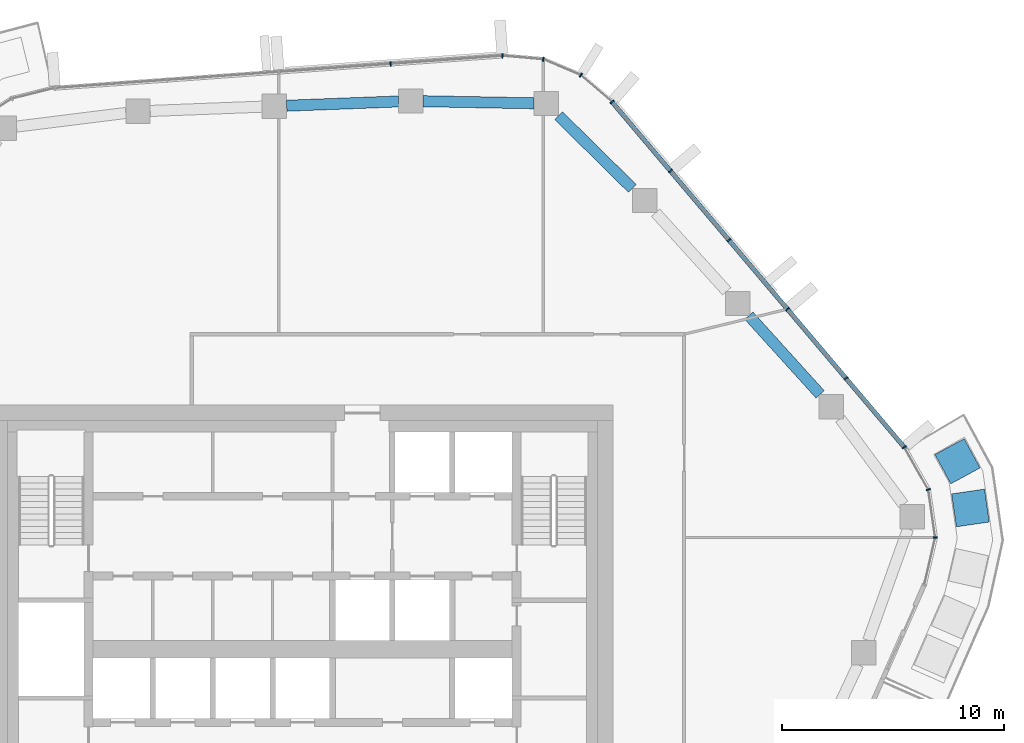
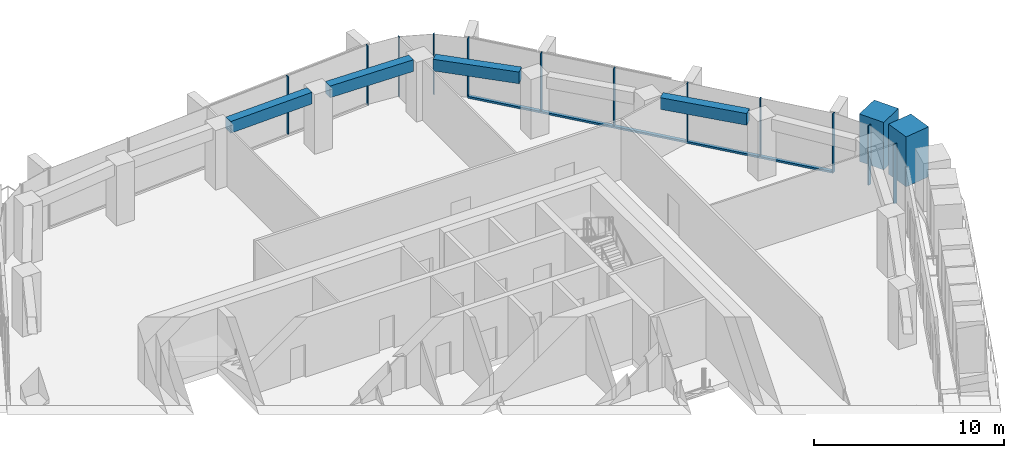
# One storey, part 9 of 21: 15 members, 4 beams, 4 elements without a shape of their own.
"""IFC4 building model written with IfcOpenShell, lengths in metres."""

from ifc_helpers import new_model, si_unit, direction, frame, origin, origin_2d, place, context, subcontext, project, spatial, rectangle, extrude, material, layer, layer_set, material_profile, profile_set, type_object, element, aggregate, save


model = new_model("IFC4")

# Units and contexts
model_context = context("Model", 3, precision=1e-05, world=origin(), true_north=direction((0.0, 1.0)))
body_context = subcontext(model_context, "Body", "Model", "MODEL_VIEW")
ifc_project = project(units=[si_unit("LENGTHUNIT", "METRE"), si_unit("AREAUNIT", "SQUARE_METRE"), si_unit("VOLUMEUNIT", "CUBIC_METRE"), si_unit("PLANEANGLEUNIT", "RADIAN"), si_unit("MASSUNIT", "GRAM", prefix="KILO")], contexts=[model_context])

# Site, building, storey
site_placement = place(None, origin())
site = spatial("IfcSite", under=ifc_project, at=site_placement, CompositionType="ELEMENT")
building_placement = place(site_placement, origin())
building = spatial("IfcBuilding", under=site, at=building_placement, Name="Dongbaek Canopy Tower", CompositionType="ELEMENT")
storey_placement = place(building_placement, frame((0.0, 0.0, 274.800048828125)))
storey = spatial("IfcBuildingStorey", under=building, at=storey_placement, Name="L58", CompositionType="ELEMENT", Elevation=274.800048828125)

# Curtain wall, members
ifc_material_1 = material(Name="Aluminium 6063-T6 pale anodised", Category="aluminium")
ifc_layer = layer(ifc_material_1, 0.199951171875)
ifc_layer_set = layer_set([ifc_layer], Name="CW-1 unitised tower curtain wall")
curtain_wall_type = type_object("IfcCurtainWallType", Name="CW-1 unitised tower curtain wall", PredefinedType="NOTDEFINED", material=ifc_layer_set)
curtain_wall_1_placement = place(storey_placement, origin())
curtain_wall_1 = element("IfcCurtainWall", 1, at=curtain_wall_1_placement, inside=storey, type_object=curtain_wall_type, Name="CW-1 curtain wall K0.1", PredefinedType="NOTDEFINED")
ifc_material_2 = material(Name="Aluminium 6063-T6 pale anodised", Category="aluminium")
ifc_material_profile_1 = material_profile(ifc_material_2, rectangle(XDim=0.199951171875, YDim=0.06005859375, at=origin_2d()), Name="CW-1 mullion 60 x 200")
ifc_profile_set_1 = profile_set([ifc_material_profile_1], Name="Aluminium 6063-T6 pale anodised")
member_type_1 = type_object("IfcMemberType", Name="CW-1 mullion 60 x 200", PredefinedType="MULLION", material=ifc_profile_set_1)
member_1_placement = place(storey_placement, frame((28.5224609375, 5.034423828125, 0.0), z_axis=(0.0, 0.0, 1.0), x_axis=(0.999092622881, -0.042590267718, 0.0)))
member_1 = element("IfcMember", 2, at=member_1_placement, type_object=member_type_1, Name="CW-1 mullion K0.1.2", PredefinedType="MULLION", context=body_context, shape_type="SweptSolid", body=[
    extrude(rectangle(XDim=0.199951171875, YDim=0.06005859375, at=origin_2d()), origin(), (0.0, 0.0, 1.0), 3.820068359375),
])
member_2_placement = place(storey_placement, frame((28.2099609375, 7.196533203125, 0.0), z_axis=(0.0, 0.0, 1.0), x_axis=(0.94607447502, 0.323949205456, 0.0)))
member_2 = element("IfcMember", 3, at=member_2_placement, type_object=member_type_1, Name="CW-1 mullion K0.1.3", PredefinedType="MULLION", context=body_context, shape_type="SweptSolid", body=[
    extrude(rectangle(XDim=0.199951171875, YDim=0.06005859375, at=origin_2d()), origin(), (0.0, 0.0, 1.0), 3.820068359375),
])
member_3_placement = place(storey_placement, frame((27.126953125, 9.1044921875, 0.0), z_axis=(0.0, 0.0, 1.0), x_axis=(0.869724340874, 0.493537811004, 0.0)))
member_3 = element("IfcMember", 4, at=member_3_placement, type_object=member_type_1, Name="CW-1 mullion K0.1.4", PredefinedType="MULLION", context=body_context, shape_type="SweptSolid", body=[
    extrude(rectangle(XDim=0.199951171875, YDim=0.06005859375, at=origin_2d()), origin(), (0.0, 0.0, 1.0), 3.820068359375),
])
aggregate(curtain_wall_1, [member_1, member_2, member_3])

curtain_wall_2_placement = place(storey_placement, origin())
curtain_wall_2 = element("IfcCurtainWall", 5, at=curtain_wall_2_placement, inside=storey, type_object=curtain_wall_type, Name="CW-1 curtain wall F0.1", PredefinedType="NOTDEFINED")
member_4_placement = place(storey_placement, frame((24.49560546875, 12.213623046875, 0.119873046875), z_axis=(0.0, 0.0, 1.0), x_axis=(0.763290756517, 0.646055122273, 0.0)))
member_4 = element("IfcMember", 6, at=member_4_placement, type_object=member_type_1, Name="CW-1 mullion F0.1.2", PredefinedType="MULLION", context=body_context, shape_type="SweptSolid", body=[
    extrude(rectangle(XDim=0.199951171875, YDim=0.06005859375, at=origin_2d()), origin(), (0.0, 0.0, 1.0), 3.7001953125),
])
member_5_placement = place(storey_placement, frame((21.85791015625, 15.329833984375, 0.119873046875), z_axis=(0.0, 0.0, 1.0), x_axis=(0.763290756517, 0.646055122273, 0.0)))
member_5 = element("IfcMember", 7, at=member_5_placement, type_object=member_type_1, Name="CW-1 mullion F0.1.3", PredefinedType="MULLION", context=body_context, shape_type="SweptSolid", body=[
    extrude(rectangle(XDim=0.199951171875, YDim=0.06005859375, at=origin_2d()), origin(), (0.0, 0.0, 1.0), 3.7001953125),
])
member_6_placement = place(storey_placement, frame((19.220458984375, 18.44580078125, 0.119873046875), z_axis=(0.0, 0.0, 1.0), x_axis=(0.763290756517, 0.646055122273, 0.0)))
member_6 = element("IfcMember", 8, at=member_6_placement, type_object=member_type_1, Name="CW-1 mullion F0.1.4", PredefinedType="MULLION", context=body_context, shape_type="SweptSolid", body=[
    extrude(rectangle(XDim=0.199951171875, YDim=0.06005859375, at=origin_2d()), origin(), (0.0, 0.0, 1.0), 3.7001953125),
])
member_7_placement = place(storey_placement, frame((16.5830078125, 21.56201171875, 0.119873046875), z_axis=(0.0, 0.0, 1.0), x_axis=(0.763290756517, 0.646055122273, 0.0)))
member_7 = element("IfcMember", 9, at=member_7_placement, type_object=member_type_1, Name="CW-1 mullion F0.1.5", PredefinedType="MULLION", context=body_context, shape_type="SweptSolid", body=[
    extrude(rectangle(XDim=0.199951171875, YDim=0.06005859375, at=origin_2d()), origin(), (0.0, 0.0, 1.0), 3.7001953125),
])
member_8_placement = place(storey_placement, frame((13.950439453125, 24.672119140625, 0.119873046875), z_axis=(0.0, 0.0, 1.0), x_axis=(0.763290756517, 0.646055122273, 0.0)))
member_8 = element("IfcMember", 10, at=member_8_placement, type_object=member_type_1, Name="CW-1 mullion F0.1.6", PredefinedType="MULLION", context=body_context, shape_type="SweptSolid", body=[
    extrude(rectangle(XDim=0.199951171875, YDim=0.06005859375, at=origin_2d()), origin(), (0.0, 0.0, 1.0), 3.7001953125),
])

curtain_wall_3_placement = place(storey_placement, origin())
curtain_wall_3 = element("IfcCurtainWall", 11, at=curtain_wall_3_placement, inside=storey, type_object=curtain_wall_type, Name="CW-1 curtain wall K1.1", PredefinedType="NOTDEFINED")
member_9_placement = place(storey_placement, frame((12.55029296875, 25.8798828125, 0.0), z_axis=(0.0, 0.0, 1.0), x_axis=(0.526936859296, 0.849904433636, 0.0)))
member_9 = element("IfcMember", 12, at=member_9_placement, type_object=member_type_1, Name="CW-1 mullion K1.1.2", PredefinedType="MULLION", context=body_context, shape_type="SweptSolid", body=[
    extrude(rectangle(XDim=0.199951171875, YDim=0.06005859375, at=origin_2d()), origin(), (0.0, 0.0, 1.0), 3.820068359375),
])
member_10_placement = place(storey_placement, frame((10.853271484375, 26.593994140625, 0.0), z_axis=(0.0, 0.0, 1.0), x_axis=(0.239249981769, 0.970958004356, 0.0)))
member_10 = element("IfcMember", 13, at=member_10_placement, type_object=member_type_1, Name="CW-1 mullion K1.1.3", PredefinedType="MULLION", context=body_context, shape_type="SweptSolid", body=[
    extrude(rectangle(XDim=0.199951171875, YDim=0.06005859375, at=origin_2d()), origin(), (0.0, 0.0, 1.0), 3.820068359375),
])
member_11_placement = place(storey_placement, frame((9.010986328125, 26.750732421875, 0.0), z_axis=(0.0, 0.0, 1.0), x_axis=(0.084791843518, 0.996398686908, 0.0)))
member_11 = element("IfcMember", 14, at=member_11_placement, type_object=member_type_1, Name="CW-1 mullion K1.1.4", PredefinedType="MULLION", context=body_context, shape_type="SweptSolid", body=[
    extrude(rectangle(XDim=0.199951171875, YDim=0.06005859375, at=origin_2d()), origin(), (0.0, 0.0, 1.0), 3.820068359375),
])
aggregate(curtain_wall_3, [member_9, member_10, member_11])

# Curtain wall, member
curtain_wall_4_placement = place(storey_placement, origin())
curtain_wall_4 = element("IfcCurtainWall", 15, at=curtain_wall_4_placement, inside=storey, type_object=curtain_wall_type, Name="CW-1 curtain wall F1.1", PredefinedType="NOTDEFINED")
member_12_placement = place(storey_placement, frame((3.971435546875, 26.38818359375, 0.119873046875), z_axis=(0.0, 0.0, 1.0), x_axis=(-0.07174408026, 0.997423073198, 0.0)))
member_12 = element("IfcMember", 16, at=member_12_placement, type_object=member_type_1, Name="CW-1 mullion F1.1.2", PredefinedType="MULLION", context=body_context, shape_type="SweptSolid", body=[
    extrude(rectangle(XDim=0.199951171875, YDim=0.06005859375, at=origin_2d()), origin(), (0.0, 0.0, 1.0), 3.7001953125),
])
aggregate(curtain_wall_4, [member_12])

# Member
ifc_material_3 = material(Name="Aluminium 6063-T6 pale anodised", Category="aluminium")
ifc_material_profile_2 = material_profile(ifc_material_3, rectangle(XDim=0.199951171875, YDim=0.1201171875, at=origin_2d()), Name="CW-1 transom 120 x 200")
ifc_profile_set_2 = profile_set([ifc_material_profile_2], Name="Aluminium 6063-T6 pale anodised")
member_type_2 = type_object("IfcMemberType", Name="CW-1 transom 120 x 200", PredefinedType="USERDEFINED", material=ifc_profile_set_2)
member_13_placement = place(storey_placement, frame((27.126953125, 9.1044921875, 0.06005859375), z_axis=(-0.646053848117, 0.763291834971, 0.0), x_axis=(-0.763291834971, -0.646053848117, 0.0)))
member_13 = element("IfcMember", 17, at=member_13_placement, type_object=member_type_2, Name="CW-1 transom F0.1.1", ObjectType="TRANSOM", PredefinedType="USERDEFINED", context=body_context, shape_type="SweptSolid", body=[
    extrude(rectangle(XDim=0.199951171875, YDim=0.1201171875, at=origin_2d()), origin(), (0.0, 0.0, 1.0), 20.395263671875),
])

aggregate(curtain_wall_2, [member_4, member_5, member_6, member_7, member_8, member_13])

# Beams
ifc_material_4 = material(Name="Concrete C70", Category="concrete")
ifc_material_profile_3 = material_profile(ifc_material_4, rectangle(XDim=0.5, YDim=0.75, at=origin_2d()), Name="RC EDGE BEAM 500x750 C70")
ifc_profile_set_3 = profile_set([ifc_material_profile_3], Name="Concrete C70")
beam_type = type_object("IfcBeamType", Name="RC EDGE BEAM 500x750 C70", PredefinedType="BEAM", material=ifc_profile_set_3)
beam_1_placement = place(storey_placement, frame((-0.716064453125, 24.5, 3.445068359375), z_axis=(0.999269359521, 0.038219721647, 0.0), x_axis=(-0.038219721647, 0.999269359521, 0.0)))
element("IfcBeam", 18, at=beam_1_placement, inside=storey, type_object=beam_type, Name="EDGEBEAM:L58:15", PredefinedType="BEAM", context=body_context, shape_type="SweptSolid", body=[
    extrude(rectangle(XDim=0.5, YDim=0.75, at=origin_2d()), origin(), (0.0, 0.0, 1.0), 5.052734375),
])
beam_2_placement = place(storey_placement, frame((5.43310546875, 24.70361328125, 3.445068359375), z_axis=(0.999822914654, -0.018818590065, 0.0), x_axis=(0.018818590065, 0.999822914654, 0.0)))
element("IfcBeam", 19, at=beam_2_placement, inside=storey, type_object=beam_type, Name="EDGEBEAM:L58:16", PredefinedType="BEAM", context=body_context, shape_type="SweptSolid", body=[
    extrude(rectangle(XDim=0.5, YDim=0.75, at=origin_2d()), origin(), (0.0, 0.0, 1.0), 5.0078125),
])
beam_3_placement = place(storey_placement, frame((11.5400390625, 24.05615234375, 3.445068359375), z_axis=(0.711738619198, -0.70244440203, 0.0), x_axis=(0.70244440203, 0.711738619198, 0.0)))
element("IfcBeam", 20, at=beam_3_placement, inside=storey, type_object=beam_type, Name="EDGEBEAM:L58:17", PredefinedType="BEAM", context=body_context, shape_type="SweptSolid", body=[
    extrude(rectangle(XDim=0.5, YDim=0.75, at=origin_2d()), origin(), (0.0, 0.0, 1.0), 4.67578125),
])
beam_4_placement = place(storey_placement, frame((20.123046875, 15.033935546875, 3.445068359375), z_axis=(0.671218045362, -0.741259964911, 0.0), x_axis=(0.741259964911, 0.671218045362, 0.0)))
element("IfcBeam", 21, at=beam_4_placement, inside=storey, type_object=beam_type, Name="EDGEBEAM:L58:19", PredefinedType="BEAM", context=body_context, shape_type="SweptSolid", body=[
    extrude(rectangle(XDim=0.5, YDim=0.75, at=origin_2d()), origin(), (0.0, 0.0, 1.0), 4.7822265625),
])

# Members
ifc_material_5 = material(Name="Concrete C40/50 planter mass with planting", Category="concrete")
ifc_material_profile_4 = material_profile(ifc_material_5, rectangle(XDim=1.5, YDim=1.5, at=origin_2d()), Name="Terrace PLANTER shrub mass 1500 x 1500")
ifc_profile_set_4 = profile_set([ifc_material_profile_4], Name="Concrete C40/50 planter mass with planting")
member_type_3 = type_object("IfcMemberType", Name="Terrace PLANTER shrub mass 1500 x 1500", PredefinedType="USERDEFINED", material=ifc_profile_set_4)
member_14_placement = place(storey_placement, frame((30.10888671875, 6.367431640625, 0.419921875), z_axis=(0.0, 0.0, 1.0), x_axis=(0.989700235444, 0.143155314124, 0.0)))
element("IfcMember", 22, at=member_14_placement, inside=storey, type_object=member_type_3, Name="Planter shrubs L58 4.4", ObjectType="PLANTER", PredefinedType="USERDEFINED", context=body_context, shape_type="SweptSolid", body=[
    extrude(rectangle(XDim=1.5, YDim=1.5, at=origin_2d()), origin(), (0.0, 0.0, 1.0), 3.2099609375),
])
member_15_placement = place(storey_placement, frame((29.526611328125, 8.473388671875, 0.419921875), z_axis=(0.0, 0.0, 1.0), x_axis=(0.878675648079, 0.477419213556, 0.0)))
element("IfcMember", 23, at=member_15_placement, inside=storey, type_object=member_type_3, Name="Planter shrubs L58 4.5", ObjectType="PLANTER", PredefinedType="USERDEFINED", context=body_context, shape_type="SweptSolid", body=[
    extrude(rectangle(XDim=1.5, YDim=1.5, at=origin_2d()), origin(), (0.0, 0.0, 1.0), 3.050048828125),
])

save(model, "model.ifc")
